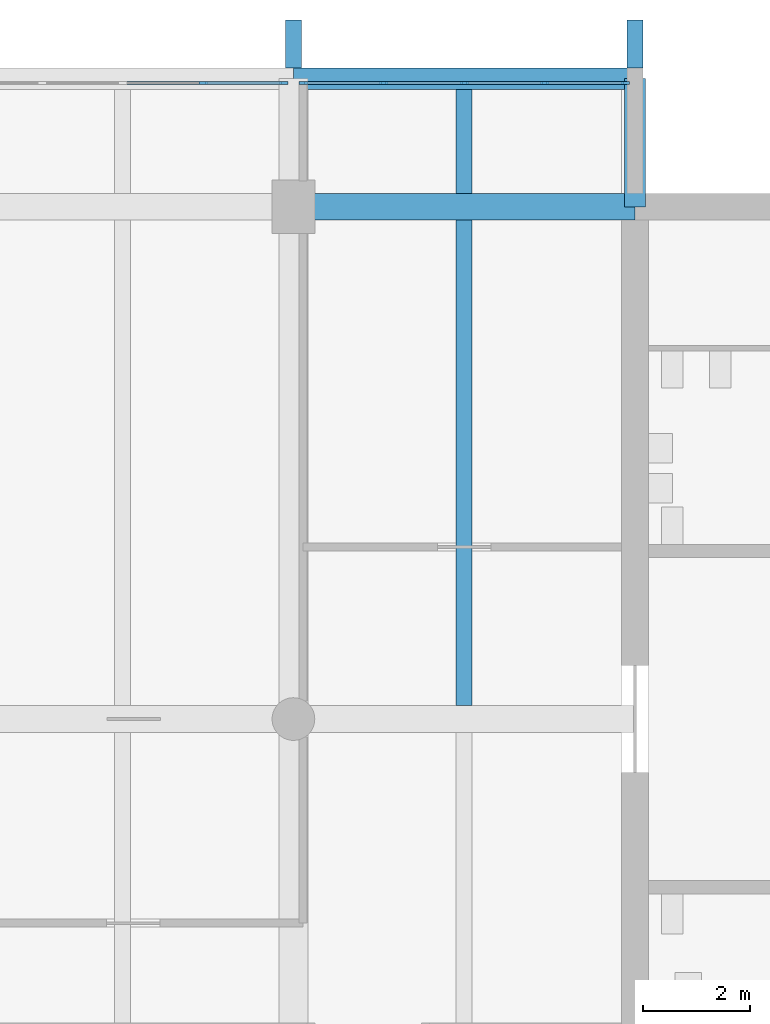
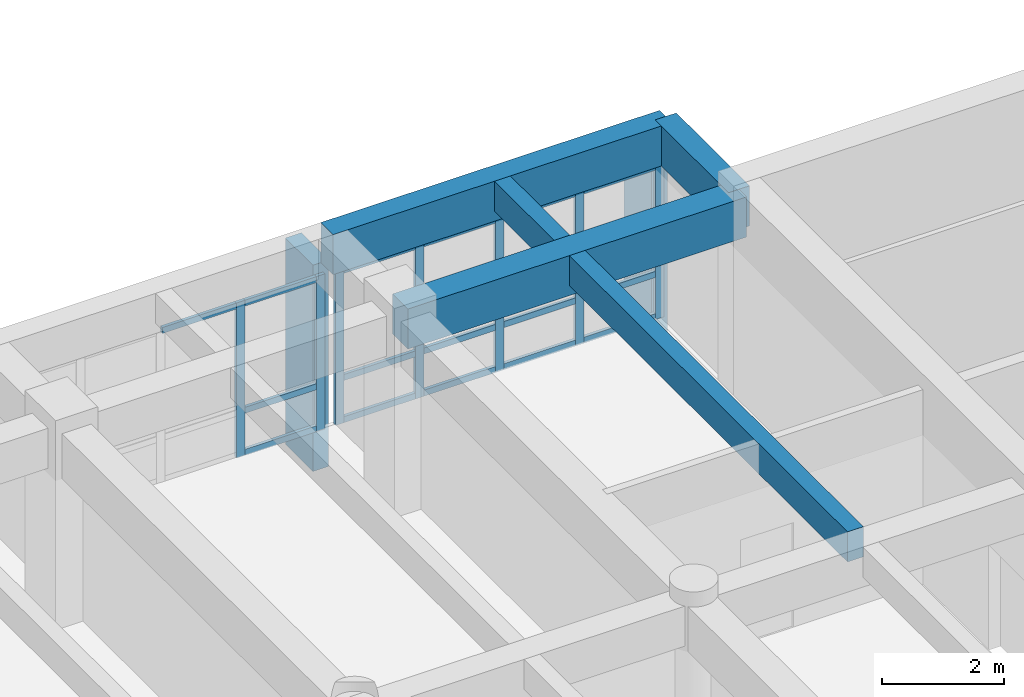
# One storey, part 6 of 15: 25 members, 5 beams, 2 elements without a shape of their own.
"""IFC4 building model written with IfcOpenShell, lengths in metres."""

import ifcopenshell
import ifcopenshell.guid

model = None  # the IFC model being written
_history = None  # IfcOwnerHistory: only IFC2X3 demands one
_inside = {}  # id of a spatial element -> (the spatial element, [elements in it])
_under = {}  # id of a project, library or spatial element -> (it, [spatial elements below it])
_declared = {}  # id of a project -> (the project, [libraries it declares])
_typed = {}  # id of a type object -> (the type object, [elements of that type])
_made_of = {}  # id of a material, layer set ... -> (it, [elements and type objects made of it])


def new_model(schema):
    """Start an empty IFC model of exactly this schema.

    Asked for "IFC4X3", IfcOpenShell would pick the latest addendum, in which some entities
    have other attributes; the version numbers below select the first issue.
    IFC2X3 requires an IfcOwnerHistory on every rooted entity: one is made here for all.
    """
    global model, _history
    if schema == "IFC4X3":
        model = ifcopenshell.file(schema_version=(4, 3, 0, 0))
    else:
        model = ifcopenshell.file(schema=schema)
    _inside.clear()
    _under.clear()
    _declared.clear()
    _typed.clear()
    _made_of.clear()
    _history = None
    if model.schema == "IFC2X3":
        org = make("IfcOrganization", Name="unknown")
        user = make(
            "IfcPersonAndOrganization",
            ThePerson=make("IfcPerson", FamilyName="unknown"),
            TheOrganization=org,
        )
        app = make(
            "IfcApplication",
            ApplicationDeveloper=org,
            Version="unknown",
            ApplicationFullName="unknown",
            ApplicationIdentifier="unknown",
        )
        _history = make(
            "IfcOwnerHistory",
            OwningUser=user,
            OwningApplication=app,
            ChangeAction="ADDED",
            CreationDate=0,
        )
    return model


def make(cls, **values):
    """One entity of the class cls with the attributes given. An attribute that is None is left unset."""
    return model.create_entity(
        cls, **{name: value for name, value in values.items() if value is not None}
    )


def rooted(cls, **values):
    """An entity with a GlobalId (a new one), such as an element, a storey or a relation."""
    return make(cls, GlobalId=ifcopenshell.guid.new(), OwnerHistory=_history, **values)


def si_unit(unit_type, name, prefix=None):
    """IfcSIUnit, for example si_unit("LENGTHUNIT", "METRE", prefix="MILLI")."""
    return make("IfcSIUnit", UnitType=unit_type, Prefix=prefix, Name=name)


def assignment(units):
    """IfcUnitAssignment: the units of a project."""
    return None if units is None else make("IfcUnitAssignment", Units=units)


def point(xyz):
    """IfcCartesianPoint."""
    return None if xyz is None else make("IfcCartesianPoint", Coordinates=xyz)


def direction(xyz):
    """IfcDirection."""
    return None if xyz is None else make("IfcDirection", DirectionRatios=xyz)


def frame(location, z_axis=None, x_axis=None):
    """IfcAxis2Placement3D, a coordinate frame: its origin and axes. An axis left out is left unset."""
    return make(
        "IfcAxis2Placement3D",
        Location=point(location),
        Axis=direction(z_axis),
        RefDirection=direction(x_axis),
    )


def frame_2d(location, x_axis=None):
    """IfcAxis2Placement2D, a coordinate frame in the plane: its origin and x axis."""
    return make(
        "IfcAxis2Placement2D", Location=point(location), RefDirection=direction(x_axis)
    )


def origin():
    """The frame at (0, 0, 0) with its axes left unset."""
    return frame((0.0, 0.0, 0.0))


def origin_2d():
    """The frame at (0, 0) in the plane with its x axis left unset."""
    return frame_2d((0.0, 0.0))


def place(relative_to, where):
    """IfcLocalPlacement: puts the frame where relative to a parent placement (None: the world)."""
    return make(
        "IfcLocalPlacement", PlacementRelTo=relative_to, RelativePlacement=where
    )


def context(
    kind, dimensions, precision=None, world=None, true_north=None, identifier=None
):
    """IfcGeometricRepresentationContext, for example the 3D "Model" context."""
    return make(
        "IfcGeometricRepresentationContext",
        ContextIdentifier=identifier,
        ContextType=kind,
        CoordinateSpaceDimension=dimensions,
        Precision=precision,
        WorldCoordinateSystem=world,
        TrueNorth=true_north,
    )


def subcontext(parent, identifier, kind, view, scale=None):
    """IfcGeometricRepresentationSubContext, for example "Body" below "Model"."""
    return make(
        "IfcGeometricRepresentationSubContext",
        ContextIdentifier=identifier,
        ContextType=kind,
        ParentContext=parent,
        TargetScale=scale,
        TargetView=view,
    )


def project(units=None, contexts=None):
    """IfcProject with its units and contexts."""
    return rooted(
        "IfcProject",
        Name="project",
        RepresentationContexts=contexts,
        UnitsInContext=assignment(units),
    )


def spatial(cls, under=None, at=None, **own):
    """A site, building, storey or space (cls), placed at a placement, below another one or the project."""
    s = rooted(cls, ObjectPlacement=at, **own)
    if under is not None:
        _under.setdefault(under.id(), (under, []))[1].append(s)
    return s


def profile(cls, at=None, kind="AREA", **sizes):
    """A parametric profile (cls). Its sizes go by their IFC names, for example OverallWidth=200.0."""
    return make(cls, ProfileType=kind, Position=at, **sizes)


def rectangle(**sizes):
    """IfcRectangleProfileDef."""
    return profile("IfcRectangleProfileDef", **sizes)


def extrude(swept, where, along, depth):
    """IfcExtrudedAreaSolid: the profile swept, set in the frame where, extruded along a direction by depth."""
    return make(
        "IfcExtrudedAreaSolid",
        SweptArea=swept,
        Position=where,
        ExtrudedDirection=direction(along),
        Depth=depth,
    )


def shape(context_of_items, identifier, shape_type, items):
    """IfcShapeRepresentation: the items that make up one representation, for example the "Body"."""
    return make(
        "IfcShapeRepresentation",
        ContextOfItems=context_of_items,
        RepresentationIdentifier=identifier,
        RepresentationType=shape_type,
        Items=items,
    )


def material(Name=None, Category=None):
    """IfcMaterial."""
    return make("IfcMaterial", Name=Name, Category=Category)


def layer(
    of_material, thickness, ventilated=None, Name=None, Category=None, Priority=None
):
    """IfcMaterialLayer: one layer of a wall or slab, of a material (None: an air gap)."""
    return make(
        "IfcMaterialLayer",
        Material=of_material,
        LayerThickness=thickness,
        IsVentilated=ventilated,
        Name=Name,
        Category=Category,
        Priority=Priority,
    )


def layer_set(layers, Name=None):
    """IfcMaterialLayerSet."""
    return make("IfcMaterialLayerSet", MaterialLayers=layers, LayerSetName=Name)


def material_profile(
    of_material, cross_section, Name=None, Category=None, Priority=None
):
    """IfcMaterialProfile: a cross section and its material."""
    return make(
        "IfcMaterialProfile",
        Name=Name,
        Material=of_material,
        Profile=cross_section,
        Priority=Priority,
        Category=Category,
    )


def profile_set(profiles, Name=None, composite=None):
    """IfcMaterialProfileSet."""
    return make(
        "IfcMaterialProfileSet",
        Name=Name,
        MaterialProfiles=profiles,
        CompositeProfile=composite,
    )


def made_of(thing, what):
    """Note that an element or type object is made of a material, layer set ...; save() writes the relation."""
    if what is not None:
        _made_of.setdefault(what.id(), (what, []))[1].append(thing)
    return thing


def type_object(cls, material=None, **own):
    """A type object (cls), such as IfcWallType, which elements share."""
    return made_of(rooted(cls, **own), material)


def element(
    cls,
    number,
    at=None,
    inside=None,
    cuts=None,
    type_object=None,
    material=None,
    context=None,
    identifier="Body",
    shape_type=None,
    held_by="IfcProductDefinitionShape",
    body=None,
    shapes=None,
    **own,
):
    """One element of the class cls, such as IfcWall. Its Tag is "e" and its number.

    at: its placement. inside: the storey or other place that contains it. cuts: it is an
    opening in that element (IfcRelVoidsElement). A single representation is given by context,
    identifier, shape_type and body (its items); several are given by shapes. held_by: the class
    of the entity that holds the representations. save() writes the other relations.
    """
    e = rooted(cls, Tag="e%d" % number, ObjectPlacement=at, **own)
    if body is not None:
        shapes = [shape(context, identifier, shape_type, body)]
    if shapes is not None:
        e.Representation = make(held_by, Representations=shapes)
    if inside is not None:
        _inside.setdefault(inside.id(), (inside, []))[1].append(e)
    if cuts is not None:
        rooted(
            "IfcRelVoidsElement", RelatingBuildingElement=cuts, RelatedOpeningElement=e
        )
    if type_object is not None:
        _typed.setdefault(type_object.id(), (type_object, []))[1].append(e)
    return made_of(e, material)


def aggregate(whole, parts):
    """IfcRelAggregates: a whole, such as a stair, and the parts it consists of."""
    return rooted("IfcRelAggregates", RelatingObject=whole, RelatedObjects=parts)


def save(model, path):
    """Write the relations noted so far, then the file.

    IfcRelAggregates (storeys below a building ...), IfcRelContainedInSpatialStructure (elements
    in a storey), IfcRelDefinesByType, IfcRelAssociatesMaterial and IfcRelDeclares: one each for
    every whole, place, type object, material and project.
    """
    for whole, parts in _under.values():
        aggregate(whole, parts)
    for where, things in _inside.values():
        rooted(
            "IfcRelContainedInSpatialStructure",
            RelatedElements=things,
            RelatingStructure=where,
        )
    for kind, things in _typed.values():
        rooted("IfcRelDefinesByType", RelatedObjects=things, RelatingType=kind)
    for what, things in _made_of.values():
        rooted("IfcRelAssociatesMaterial", RelatedObjects=things, RelatingMaterial=what)
    for by, libraries in _declared.values():
        rooted("IfcRelDeclares", RelatingContext=by, RelatedDefinitions=libraries)
    model.write(path)


model = new_model("IFC4")

# Units and contexts
model_context = context("Model", 3, precision=1e-05, world=origin(), true_north=direction((0.0, 1.0)))
body_context = subcontext(model_context, "Body", "Model", "MODEL_VIEW")
ifc_project = project(units=[si_unit("LENGTHUNIT", "METRE"), si_unit("AREAUNIT", "SQUARE_METRE"), si_unit("VOLUMEUNIT", "CUBIC_METRE"), si_unit("PLANEANGLEUNIT", "RADIAN"), si_unit("MASSUNIT", "GRAM", prefix="KILO")], contexts=[model_context])

# Site, building, storey
site_placement = place(None, origin())
site = spatial("IfcSite", under=ifc_project, at=site_placement, CompositionType="ELEMENT")
building_placement = place(site_placement, origin())
building = spatial("IfcBuilding", under=site, at=building_placement, Name="Fogon Plaza Fire Station and Headquarters Tower", CompositionType="ELEMENT")
storey_placement = place(building_placement, frame((0.0, 0.0, 60.0)))
storey = spatial("IfcBuildingStorey", under=building, at=storey_placement, Name="L15", CompositionType="ELEMENT", Elevation=60.0)

# Beams
ifc_material_1 = material(Name="Concrete C40", Category="concrete")
ifc_material_profile_1 = material_profile(ifc_material_1, rectangle(XDim=0.39990234375, YDim=0.800048828125, at=origin_2d()), Name="RC 400x800")
ifc_profile_set_1 = profile_set([ifc_material_profile_1], Name="Concrete C40")
beam_type_1 = type_object("IfcBeamType", Name="BEAM RC 400x800", PredefinedType="BEAM", material=ifc_profile_set_1)
beam_1_placement = place(storey_placement, frame((57.60009765625, 55.199951171875, 3.5), z_axis=(1.0, 0.0, 0.0), x_axis=(0.0, 1.0, 0.0)))
element("IfcBeam", 1, at=beam_1_placement, inside=storey, type_object=beam_type_1, Name="beam-L15-050", PredefinedType="BEAM", context=body_context, shape_type="SweptSolid", body=[
    extrude(rectangle(XDim=0.39990234375, YDim=0.800048828125, at=origin_2d()), origin(), (0.0, 0.0, 1.0), 6.39990234375),
])
ifc_material_2 = material(Name="Concrete C40", Category="concrete")
ifc_material_profile_2 = material_profile(ifc_material_2, rectangle(XDim=0.39990234375, YDim=0.800048828125, at=origin_2d()), Name="RC 400x800")
ifc_profile_set_2 = profile_set([ifc_material_profile_2], Name="Concrete C40")
beam_type_2 = type_object("IfcBeamType", Name="BEAM RC 400x800 SPAN 0.0 TO 3.0 M", PredefinedType="BEAM", material=ifc_profile_set_2)
beam_2_placement = place(storey_placement, frame((64.0, 52.800048828125, 3.5), z_axis=(0.0, 1.0, 0.0), x_axis=(-1.0, 0.0, 0.0)))
element("IfcBeam", 2, at=beam_2_placement, inside=storey, type_object=beam_type_2, Name="beam-L15-054", PredefinedType="BEAM", context=body_context, shape_type="SweptSolid", body=[
    extrude(rectangle(XDim=0.39990234375, YDim=0.800048828125, at=origin_2d()), origin(), (0.0, 0.0, 1.0), 2.39990234375),
])
ifc_material_3 = material(Name="Concrete C40", Category="concrete")
ifc_material_profile_3 = material_profile(ifc_material_3, rectangle(XDim=0.5, YDim=0.800048828125, at=origin_2d()), Name="RC 500x800")
ifc_profile_set_3 = profile_set([ifc_material_profile_3], Name="Concrete C40")
beam_type_3 = type_object("IfcBeamType", Name="BEAM RC 500x800 SPAN 4.8 TO 7.7 M", PredefinedType="BEAM", material=ifc_profile_set_3)
beam_3_placement = place(storey_placement, frame((57.60009765625, 52.800048828125, 3.5), z_axis=(1.0, 0.0, 0.0), x_axis=(0.0, 1.0, 0.0)))
element("IfcBeam", 3, at=beam_3_placement, inside=storey, type_object=beam_type_3, Name="beam-L15-038", PredefinedType="BEAM", context=body_context, shape_type="SweptSolid", body=[
    extrude(rectangle(XDim=0.5, YDim=0.800048828125, at=origin_2d()), origin(), (0.0, 0.0, 1.0), 6.39990234375),
])

# Curtain wall, members
ifc_material_4 = material(Name="Aluminium and glass", Category="aluminium")
ifc_layer = layer(ifc_material_4, 0.14990234375)
ifc_layer_set = layer_set([ifc_layer], Name="Aluminium and glass")
curtain_wall_type = type_object("IfcCurtainWallType", Name="Unitised Curtain Wall Run 6100x3100", PredefinedType="NOTDEFINED", material=ifc_layer_set)
curtain_wall_1_placement = place(storey_placement, origin())
curtain_wall_1 = element("IfcCurtainWall", 4, at=curtain_wall_1_placement, inside=storey, type_object=curtain_wall_type, Name="CW-6100x3100 N5 L15", PredefinedType="NOTDEFINED")
ifc_material_5 = material(Name="Aluminium", Category="aluminium")
ifc_material_profile_4 = material_profile(ifc_material_5, rectangle(XDim=0.06005859375, YDim=0.159912109375, at=origin_2d()), Name="Curtain Wall Mullion 60x160")
ifc_profile_set_4 = profile_set([ifc_material_profile_4], Name="Aluminium")
member_type_1 = type_object("IfcMemberType", Name="Curtain Wall Mullion 60x160", PredefinedType="MULLION", material=ifc_profile_set_4)
member_1_placement = place(storey_placement, frame((55.909912109375, 55.1201171875, 0.0), z_axis=(0.0, 0.0, 1.0), x_axis=(0.0, 1.0, 0.0)))
member_1 = element("IfcMember", 5, at=member_1_placement, type_object=member_type_1, Name="CW-6100x3100 mullion 4", PredefinedType="MULLION", context=body_context, shape_type="SweptSolid", body=[
    extrude(rectangle(XDim=0.06005859375, YDim=0.159912109375, at=origin_2d()), origin(), (0.0, 0.0, 1.0), 3.10009765625),
])
member_2_placement = place(storey_placement, frame((57.419921875, 55.1201171875, 0.0), z_axis=(0.0, 0.0, 1.0), x_axis=(0.0, 1.0, 0.0)))
member_2 = element("IfcMember", 6, at=member_2_placement, type_object=member_type_1, Name="CW-6100x3100 mullion 5", PredefinedType="MULLION", context=body_context, shape_type="SweptSolid", body=[
    extrude(rectangle(XDim=0.06005859375, YDim=0.159912109375, at=origin_2d()), origin(), (0.0, 0.0, 1.0), 3.10009765625),
])

curtain_wall_2_placement = place(storey_placement, origin())
curtain_wall_2 = element("IfcCurtainWall", 7, at=curtain_wall_2_placement, inside=storey, type_object=curtain_wall_type, Name="CW-6100x3100 N6 L15", PredefinedType="NOTDEFINED")
member_3_placement = place(storey_placement, frame((57.780029296875, 55.1201171875, 0.0), z_axis=(0.0, 0.0, 1.0), x_axis=(0.0, 1.0, 0.0)))
member_3 = element("IfcMember", 8, at=member_3_placement, type_object=member_type_1, Name="CW-6100x3100 mullion 1", PredefinedType="MULLION", context=body_context, shape_type="SweptSolid", body=[
    extrude(rectangle(XDim=0.06005859375, YDim=0.159912109375, at=origin_2d()), origin(), (0.0, 0.0, 1.0), 3.10009765625),
])
member_4_placement = place(storey_placement, frame((59.2900390625, 55.1201171875, 0.0), z_axis=(0.0, 0.0, 1.0), x_axis=(0.0, 1.0, 0.0)))
member_4 = element("IfcMember", 9, at=member_4_placement, type_object=member_type_1, Name="CW-6100x3100 mullion 2", PredefinedType="MULLION", context=body_context, shape_type="SweptSolid", body=[
    extrude(rectangle(XDim=0.06005859375, YDim=0.159912109375, at=origin_2d()), origin(), (0.0, 0.0, 1.0), 3.10009765625),
])
member_5_placement = place(storey_placement, frame((60.800048828125, 55.1201171875, 0.0), z_axis=(0.0, 0.0, 1.0), x_axis=(0.0, 1.0, 0.0)))
member_5 = element("IfcMember", 10, at=member_5_placement, type_object=member_type_1, Name="CW-6100x3100 mullion 3", PredefinedType="MULLION", context=body_context, shape_type="SweptSolid", body=[
    extrude(rectangle(XDim=0.06005859375, YDim=0.159912109375, at=origin_2d()), origin(), (0.0, 0.0, 1.0), 3.10009765625),
])
member_6_placement = place(storey_placement, frame((62.31005859375, 55.1201171875, 0.0), z_axis=(0.0, 0.0, 1.0), x_axis=(0.0, 1.0, 0.0)))
member_6 = element("IfcMember", 11, at=member_6_placement, type_object=member_type_1, Name="CW-6100x3100 mullion 4", PredefinedType="MULLION", context=body_context, shape_type="SweptSolid", body=[
    extrude(rectangle(XDim=0.06005859375, YDim=0.159912109375, at=origin_2d()), origin(), (0.0, 0.0, 1.0), 3.10009765625),
])
member_7_placement = place(storey_placement, frame((63.820068359375, 55.1201171875, 0.0), z_axis=(0.0, 0.0, 1.0), x_axis=(0.0, 1.0, 0.0)))
member_7 = element("IfcMember", 12, at=member_7_placement, type_object=member_type_1, Name="CW-6100x3100 mullion 5", PredefinedType="MULLION", context=body_context, shape_type="SweptSolid", body=[
    extrude(rectangle(XDim=0.06005859375, YDim=0.159912109375, at=origin_2d()), origin(), (0.0, 0.0, 1.0), 3.10009765625),
])

# Member
ifc_material_6 = material(Name="Aluminium", Category="aluminium")
ifc_material_profile_5 = material_profile(ifc_material_6, rectangle(XDim=0.06005859375, YDim=0.1201171875, at=origin_2d()), Name="Curtain Wall Transom 60x120")
ifc_profile_set_5 = profile_set([ifc_material_profile_5], Name="Aluminium")
member_type_2 = type_object("IfcMemberType", Name="Curtain Wall Transom 60x120", PredefinedType="USERDEFINED", material=ifc_profile_set_5)
member_8_placement = place(storey_placement, frame((54.429931640625, 55.1201171875, 3.0400390625), z_axis=(1.0, 0.0, 0.0), x_axis=(0.0, 1.0, 0.0)))
member_8 = element("IfcMember", 13, at=member_8_placement, type_object=member_type_2, Name="CW-6100x3100 transom 3.3", ObjectType="TRANSOM", PredefinedType="USERDEFINED", context=body_context, shape_type="SweptSolid", body=[
    extrude(rectangle(XDim=0.06005859375, YDim=0.1201171875, at=origin_2d()), origin(), (0.0, 0.0, 1.0), 1.449951171875),
])

member_9_placement = place(storey_placement, frame((55.93994140625, 55.1201171875, 0.06005859375), z_axis=(1.0, 0.0, 0.0), x_axis=(0.0, 1.0, 0.0)))
member_9 = element("IfcMember", 14, at=member_9_placement, type_object=member_type_2, Name="CW-6100x3100 transom 4.1", ObjectType="TRANSOM", PredefinedType="USERDEFINED", context=body_context, shape_type="SweptSolid", body=[
    extrude(rectangle(XDim=0.06005859375, YDim=0.1201171875, at=origin_2d()), origin(), (0.0, 0.0, 1.0), 1.449951171875),
])

member_10_placement = place(storey_placement, frame((55.93994140625, 55.1201171875, 0.89990234375), z_axis=(1.0, 0.0, 0.0), x_axis=(0.0, 1.0, 0.0)))
member_10 = element("IfcMember", 15, at=member_10_placement, type_object=member_type_2, Name="CW-6100x3100 transom 4.2", ObjectType="TRANSOM", PredefinedType="USERDEFINED", context=body_context, shape_type="SweptSolid", body=[
    extrude(rectangle(XDim=0.06005859375, YDim=0.1201171875, at=origin_2d()), origin(), (0.0, 0.0, 1.0), 1.449951171875),
])

member_11_placement = place(storey_placement, frame((55.93994140625, 55.1201171875, 3.0400390625), z_axis=(1.0, 0.0, 0.0), x_axis=(0.0, 1.0, 0.0)))
member_11 = element("IfcMember", 16, at=member_11_placement, type_object=member_type_2, Name="CW-6100x3100 transom 4.3", ObjectType="TRANSOM", PredefinedType="USERDEFINED", context=body_context, shape_type="SweptSolid", body=[
    extrude(rectangle(XDim=0.06005859375, YDim=0.1201171875, at=origin_2d()), origin(), (0.0, 0.0, 1.0), 1.449951171875),
])

aggregate(curtain_wall_1, [member_1, member_2, member_8, member_9, member_10, member_11])

member_12_placement = place(storey_placement, frame((57.81005859375, 55.1201171875, 0.06005859375), z_axis=(1.0, 0.0, 0.0), x_axis=(0.0, 1.0, 0.0)))
member_12 = element("IfcMember", 17, at=member_12_placement, type_object=member_type_2, Name="CW-6100x3100 transom 1.1", ObjectType="TRANSOM", PredefinedType="USERDEFINED", context=body_context, shape_type="SweptSolid", body=[
    extrude(rectangle(XDim=0.06005859375, YDim=0.1201171875, at=origin_2d()), origin(), (0.0, 0.0, 1.0), 1.449951171875),
])

member_13_placement = place(storey_placement, frame((57.81005859375, 55.1201171875, 0.89990234375), z_axis=(1.0, 0.0, 0.0), x_axis=(0.0, 1.0, 0.0)))
member_13 = element("IfcMember", 18, at=member_13_placement, type_object=member_type_2, Name="CW-6100x3100 transom 1.2", ObjectType="TRANSOM", PredefinedType="USERDEFINED", context=body_context, shape_type="SweptSolid", body=[
    extrude(rectangle(XDim=0.06005859375, YDim=0.1201171875, at=origin_2d()), origin(), (0.0, 0.0, 1.0), 1.449951171875),
])

member_14_placement = place(storey_placement, frame((57.81005859375, 55.1201171875, 3.0400390625), z_axis=(1.0, 0.0, 0.0), x_axis=(0.0, 1.0, 0.0)))
member_14 = element("IfcMember", 19, at=member_14_placement, type_object=member_type_2, Name="CW-6100x3100 transom 1.3", ObjectType="TRANSOM", PredefinedType="USERDEFINED", context=body_context, shape_type="SweptSolid", body=[
    extrude(rectangle(XDim=0.06005859375, YDim=0.1201171875, at=origin_2d()), origin(), (0.0, 0.0, 1.0), 1.449951171875),
])

member_15_placement = place(storey_placement, frame((59.320068359375, 55.1201171875, 0.06005859375), z_axis=(1.0, 0.0, 0.0), x_axis=(0.0, 1.0, 0.0)))
member_15 = element("IfcMember", 20, at=member_15_placement, type_object=member_type_2, Name="CW-6100x3100 transom 2.1", ObjectType="TRANSOM", PredefinedType="USERDEFINED", context=body_context, shape_type="SweptSolid", body=[
    extrude(rectangle(XDim=0.06005859375, YDim=0.1201171875, at=origin_2d()), origin(), (0.0, 0.0, 1.0), 1.449951171875),
])

member_16_placement = place(storey_placement, frame((59.320068359375, 55.1201171875, 0.89990234375), z_axis=(1.0, 0.0, 0.0), x_axis=(0.0, 1.0, 0.0)))
member_16 = element("IfcMember", 21, at=member_16_placement, type_object=member_type_2, Name="CW-6100x3100 transom 2.2", ObjectType="TRANSOM", PredefinedType="USERDEFINED", context=body_context, shape_type="SweptSolid", body=[
    extrude(rectangle(XDim=0.06005859375, YDim=0.1201171875, at=origin_2d()), origin(), (0.0, 0.0, 1.0), 1.449951171875),
])

member_17_placement = place(storey_placement, frame((59.320068359375, 55.1201171875, 3.0400390625), z_axis=(1.0, 0.0, 0.0), x_axis=(0.0, 1.0, 0.0)))
member_17 = element("IfcMember", 22, at=member_17_placement, type_object=member_type_2, Name="CW-6100x3100 transom 2.3", ObjectType="TRANSOM", PredefinedType="USERDEFINED", context=body_context, shape_type="SweptSolid", body=[
    extrude(rectangle(XDim=0.06005859375, YDim=0.1201171875, at=origin_2d()), origin(), (0.0, 0.0, 1.0), 1.449951171875),
])

member_18_placement = place(storey_placement, frame((60.830078125, 55.1201171875, 0.06005859375), z_axis=(1.0, 0.0, 0.0), x_axis=(0.0, 1.0, 0.0)))
member_18 = element("IfcMember", 23, at=member_18_placement, type_object=member_type_2, Name="CW-6100x3100 transom 3.1", ObjectType="TRANSOM", PredefinedType="USERDEFINED", context=body_context, shape_type="SweptSolid", body=[
    extrude(rectangle(XDim=0.06005859375, YDim=0.1201171875, at=origin_2d()), origin(), (0.0, 0.0, 1.0), 1.449951171875),
])

member_19_placement = place(storey_placement, frame((60.830078125, 55.1201171875, 0.89990234375), z_axis=(1.0, 0.0, 0.0), x_axis=(0.0, 1.0, 0.0)))
member_19 = element("IfcMember", 24, at=member_19_placement, type_object=member_type_2, Name="CW-6100x3100 transom 3.2", ObjectType="TRANSOM", PredefinedType="USERDEFINED", context=body_context, shape_type="SweptSolid", body=[
    extrude(rectangle(XDim=0.06005859375, YDim=0.1201171875, at=origin_2d()), origin(), (0.0, 0.0, 1.0), 1.449951171875),
])

member_20_placement = place(storey_placement, frame((60.830078125, 55.1201171875, 3.0400390625), z_axis=(1.0, 0.0, 0.0), x_axis=(0.0, 1.0, 0.0)))
member_20 = element("IfcMember", 25, at=member_20_placement, type_object=member_type_2, Name="CW-6100x3100 transom 3.3", ObjectType="TRANSOM", PredefinedType="USERDEFINED", context=body_context, shape_type="SweptSolid", body=[
    extrude(rectangle(XDim=0.06005859375, YDim=0.1201171875, at=origin_2d()), origin(), (0.0, 0.0, 1.0), 1.449951171875),
])

member_21_placement = place(storey_placement, frame((62.340087890625, 55.1201171875, 0.06005859375), z_axis=(1.0, 0.0, 0.0), x_axis=(0.0, 1.0, 0.0)))
member_21 = element("IfcMember", 26, at=member_21_placement, type_object=member_type_2, Name="CW-6100x3100 transom 4.1", ObjectType="TRANSOM", PredefinedType="USERDEFINED", context=body_context, shape_type="SweptSolid", body=[
    extrude(rectangle(XDim=0.06005859375, YDim=0.1201171875, at=origin_2d()), origin(), (0.0, 0.0, 1.0), 1.449951171875),
])

member_22_placement = place(storey_placement, frame((62.340087890625, 55.1201171875, 0.89990234375), z_axis=(1.0, 0.0, 0.0), x_axis=(0.0, 1.0, 0.0)))
member_22 = element("IfcMember", 27, at=member_22_placement, type_object=member_type_2, Name="CW-6100x3100 transom 4.2", ObjectType="TRANSOM", PredefinedType="USERDEFINED", context=body_context, shape_type="SweptSolid", body=[
    extrude(rectangle(XDim=0.06005859375, YDim=0.1201171875, at=origin_2d()), origin(), (0.0, 0.0, 1.0), 1.449951171875),
])

member_23_placement = place(storey_placement, frame((62.340087890625, 55.1201171875, 3.0400390625), z_axis=(1.0, 0.0, 0.0), x_axis=(0.0, 1.0, 0.0)))
member_23 = element("IfcMember", 28, at=member_23_placement, type_object=member_type_2, Name="CW-6100x3100 transom 4.3", ObjectType="TRANSOM", PredefinedType="USERDEFINED", context=body_context, shape_type="SweptSolid", body=[
    extrude(rectangle(XDim=0.06005859375, YDim=0.1201171875, at=origin_2d()), origin(), (0.0, 0.0, 1.0), 1.449951171875),
])

aggregate(curtain_wall_2, [member_3, member_4, member_5, member_6, member_7, member_12, member_13, member_14, member_15, member_16, member_17, member_18, member_19, member_20, member_21, member_22, member_23])

# Beams
ifc_material_7 = material(Name="Concrete C40", Category="concrete")
ifc_material_profile_6 = material_profile(ifc_material_7, rectangle(XDim=0.300048828125, YDim=0.60009765625, at=origin_2d()), Name="RC 300x600")
ifc_profile_set_6 = profile_set([ifc_material_profile_6], Name="Concrete C40")
beam_type_4 = type_object("IfcBeamType", Name="JOIST RC 300x600", PredefinedType="JOIST", material=ifc_profile_set_6)
beam_4_placement = place(storey_placement, frame((60.800048828125, 43.449951171875, 3.60009765625), z_axis=(0.0, 1.0, 0.0), x_axis=(-1.0, 0.0, 0.0)))
element("IfcBeam", 29, at=beam_4_placement, inside=storey, type_object=beam_type_4, Name="beam-L15-077", PredefinedType="JOIST", context=body_context, shape_type="SweptSolid", body=[
    extrude(rectangle(XDim=0.300048828125, YDim=0.60009765625, at=origin_2d()), origin(), (0.0, 0.0, 1.0), 9.10009765625),
])
ifc_material_8 = material(Name="Concrete C40", Category="concrete")
ifc_material_profile_7 = material_profile(ifc_material_8, rectangle(XDim=0.300048828125, YDim=0.60009765625, at=origin_2d()), Name="RC 300x600")
ifc_profile_set_7 = profile_set([ifc_material_profile_7], Name="Concrete C40")
beam_type_5 = type_object("IfcBeamType", Name="JOIST RC 300x600 SPAN 0.0 TO 3.0 M", PredefinedType="JOIST", material=ifc_profile_set_7)
beam_5_placement = place(storey_placement, frame((60.800048828125, 53.050048828125, 3.60009765625), z_axis=(0.0, 1.0, 0.0), x_axis=(-1.0, 0.0, 0.0)))
element("IfcBeam", 30, at=beam_5_placement, inside=storey, type_object=beam_type_5, Name="beam-L15-078", PredefinedType="JOIST", context=body_context, shape_type="SweptSolid", body=[
    extrude(rectangle(XDim=0.300048828125, YDim=0.60009765625, at=origin_2d()), origin(), (0.0, 0.0, 1.0), 1.949951171875),
])

# Members
ifc_material_9 = material(Name="Concrete C40 precast", Category="concrete")
ifc_material_profile_8 = material_profile(ifc_material_9, rectangle(XDim=0.300048828125, YDim=0.89990234375, at=origin_2d()), Name="Precast Concrete Post 300x900")
ifc_profile_set_8 = profile_set([ifc_material_profile_8], Name="Concrete C40 precast")
member_type_3 = type_object("IfcMemberType", Name="Precast Concrete Post 300x900", PredefinedType="POST", material=ifc_profile_set_8)
for number, where, z_axis, x_axis, name in (
    (31, (57.60009765625, 55.85009765625, -1.02001953125), (0.0, 0.0, 1.0), (1.0, 0.0, 0.0), "Precast Post N L15"),
    (32, (64.0, 55.85009765625, -1.02001953125), (0.0, 0.0, 1.0), (1.0, 0.0, 0.0), "Precast Post N L15"),
):
    element("IfcMember", number, at=place(storey_placement, frame(where, z_axis=z_axis, x_axis=x_axis)), inside=storey, type_object=member_type_3, Name=name, PredefinedType="POST", context=body_context, shape_type="SweptSolid", body=[
        extrude(rectangle(XDim=0.300048828125, YDim=0.89990234375, at=origin_2d()), origin(), (0.0, 0.0, 1.0), 4.1201171875),
    ])

save(model, "model.ifc")
